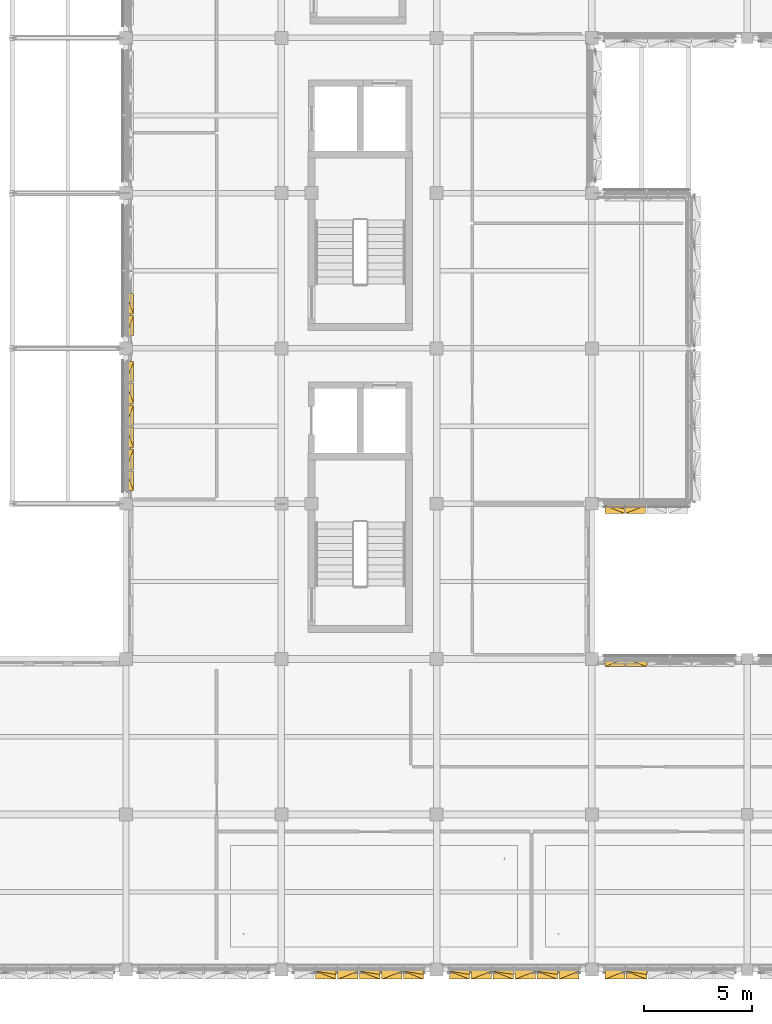
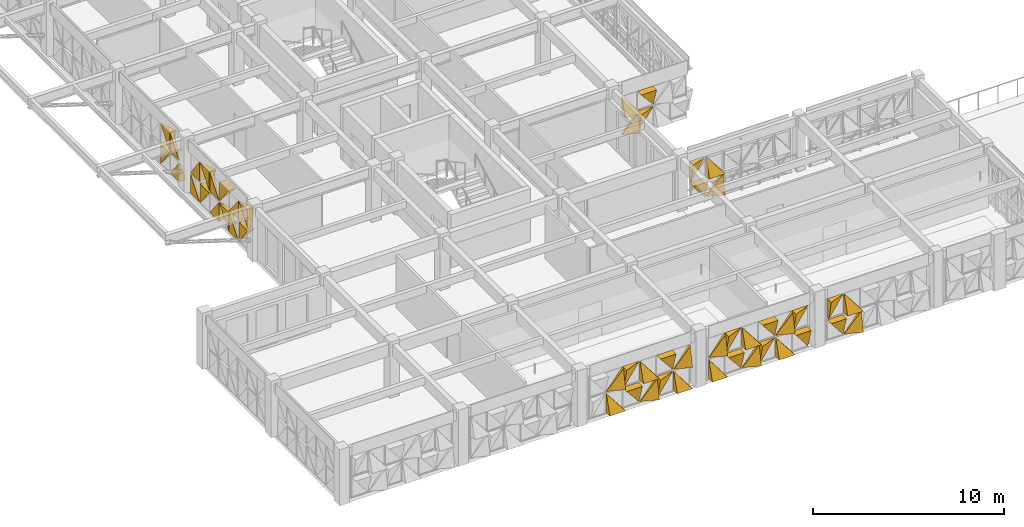
# One storey, part 87 of 99: 50 coverings.
"""IFC4 building model written with IfcOpenShell, lengths in metres."""

from ifc_helpers import new_model, si_unit, direction, frame, origin, place, context, subcontext, project, spatial, polygons, material, layer, layer_set, type_object, element, save


model = new_model("IFC4")

# Units and contexts
model_context = context("Model", 3, precision=1e-05, world=origin(), true_north=direction((0.0, 1.0)))
body_context = subcontext(model_context, "Body", "Model", "MODEL_VIEW")
ifc_project = project(units=[si_unit("LENGTHUNIT", "METRE"), si_unit("AREAUNIT", "SQUARE_METRE"), si_unit("VOLUMEUNIT", "CUBIC_METRE"), si_unit("PLANEANGLEUNIT", "RADIAN"), si_unit("MASSUNIT", "GRAM", prefix="KILO")], contexts=[model_context])

# Site, building, storey
site_placement = place(None, origin())
site = spatial("IfcSite", under=ifc_project, at=site_placement, CompositionType="ELEMENT")
building_placement = place(site_placement, origin())
building = spatial("IfcBuilding", under=site, at=building_placement, Name="Alvorim Cloister Faculty of Sciences", CompositionType="ELEMENT")
storey_placement = place(building_placement, frame((0.0, 0.0, 12.14990234375)))
storey = spatial("IfcBuildingStorey", under=building, at=storey_placement, Name="L03", CompositionType="ELEMENT", Elevation=12.14990234375)

# Coverings
ifc_material = material(Name="Perforated Bronze Alloy Sheet", Category="metal")
ifc_layer = layer(ifc_material, 0.0380859375)
ifc_layer_set = layer_set([ifc_layer], Name="Perforated Bronze Alloy Sheet")
covering_type = type_object("IfcCoveringType", Name="COV-TRI-BRZ", PredefinedType="CLADDING", material=ifc_layer_set)
covering_1_placement = place(storey_placement, frame((7.155029296875, 22.205078125, 0.14013671875), z_axis=(0.0, 0.0, 1.0), x_axis=(0.0, 1.0, 0.0)))
element("IfcCovering", 1, at=covering_1_placement, inside=storey, type_object=covering_type, Name="Diagonal Solid Metal Triangle TRI-TR", PredefinedType="CLADDING", context=body_context, shape_type="Tessellation", body=[
    polygons([(0.922607421875, 0.0260009765625, 0.002), (0.922607421875, 0.0260009765625, 1.21484375), (0.002, 0.0260009765625, 1.21484375), (0.922607421875, -0.03, 0.002), (0.922607421875, -0.4, 1.21484375), (0.002, -0.4, 1.21484375)], [[[1, 3, 2]], [[4, 5, 6]], [[1, 2, 5, 4]], [[2, 3, 6, 5]], [[3, 1, 4, 6]]], closed=True),
])
covering_2_placement = place(storey_placement, frame((7.155029296875, 22.205078125, 1.4951171875), z_axis=(0.0, 0.0, 1.0), x_axis=(0.0, 1.0, 0.0)))
element("IfcCovering", 2, at=covering_2_placement, inside=storey, type_object=covering_type, Name="Diagonal Solid Metal Triangle TRI-TL", PredefinedType="CLADDING", context=body_context, shape_type="Tessellation", body=[
    polygons([(0.920607421875, 0.0260009765625, 1.215087890625), (0.0, 0.0260009765625, 1.215087890625), (0.0, 0.0260009765625, 0.002), (0.920607421875, -0.03, 1.215087890625), (0.0, -0.4, 1.215087890625), (0.0, -0.13999999999999999, 0.002)], [[[1, 3, 2]], [[4, 5, 6]], [[1, 2, 5, 4]], [[2, 3, 6, 5]], [[3, 1, 4, 6]]], closed=True),
])
covering_3_placement = place(storey_placement, frame((7.155029296875, 23.1923828125, 0.14013671875), z_axis=(0.0, 0.0, 1.0), x_axis=(0.0, 1.0, 0.0)))
element("IfcCovering", 3, at=covering_3_placement, inside=storey, type_object=covering_type, Name="Diagonal Solid Metal Triangle TRI-BR", PredefinedType="CLADDING", context=body_context, shape_type="Tessellation", body=[
    polygons([(0.002, 0.0260009765625, 0.0), (0.955078125, 0.0260009765625, 0.0), (0.955078125, 0.0260009765625, 1.21284375), (0.002, -0.03, 0.0), (0.955078125, -0.4, 0.0), (0.955078125, -0.18000000000000002, 1.21284375)], [[[1, 3, 2]], [[4, 5, 6]], [[1, 2, 5, 4]], [[2, 3, 6, 5]], [[3, 1, 4, 6]]], closed=True),
])
covering_4_placement = place(storey_placement, frame((7.155029296875, 23.1923828125, 1.4951171875), z_axis=(0.0, 0.0, 1.0), x_axis=(0.0, 1.0, 0.0)))
element("IfcCovering", 4, at=covering_4_placement, inside=storey, type_object=covering_type, Name="Diagonal Solid Metal Triangle TRI-BL", PredefinedType="CLADDING", context=body_context, shape_type="Tessellation", body=[
    polygons([(0.0, 0.0260009765625, 0.0), (0.953078125, 0.0260009765625, 0.0), (0.0, 0.0260009765625, 1.213087890625), (0.0, -0.4, 0.0), (0.953078125, -0.4, 0.0), (0.0, -0.03, 1.213087890625)], [[[1, 3, 2]], [[4, 5, 6]], [[1, 2, 5, 4]], [[2, 3, 6, 5]], [[3, 1, 4, 6]]], closed=True),
])
covering_5_placement = place(storey_placement, frame((7.155029296875, 24.21240234375, 0.14013671875), z_axis=(0.0, 0.0, 1.0), x_axis=(0.0, 1.0, 0.0)))
element("IfcCovering", 5, at=covering_5_placement, inside=storey, type_object=covering_type, Name="Diagonal Solid Metal Triangle TRI-TL", PredefinedType="CLADDING", context=body_context, shape_type="Tessellation", body=[
    polygons([(0.953078125, 0.0260009765625, 1.21484375), (0.0, 0.0260009765625, 1.21484375), (0.0, 0.0260009765625, 0.002), (0.953078125, -0.03, 1.21484375), (0.0, -0.4, 1.21484375), (0.0, -0.13999999999999999, 0.002)], [[[1, 3, 2]], [[4, 5, 6]], [[1, 2, 5, 4]], [[2, 3, 6, 5]], [[3, 1, 4, 6]]], closed=True),
])
covering_6_placement = place(storey_placement, frame((7.155029296875, 24.21240234375, 1.4951171875), z_axis=(0.0, 0.0, 1.0), x_axis=(0.0, 1.0, 0.0)))
element("IfcCovering", 6, at=covering_6_placement, inside=storey, type_object=covering_type, Name="Diagonal Solid Metal Triangle TRI-TR", PredefinedType="CLADDING", context=body_context, shape_type="Tessellation", body=[
    polygons([(0.955078125, 0.0260009765625, 0.002), (0.955078125, 0.0260009765625, 1.215087890625), (0.002, 0.0260009765625, 1.215087890625), (0.955078125, -0.03, 0.002), (0.955078125, -0.4, 1.215087890625), (0.002, -0.4, 1.215087890625)], [[[1, 3, 2]], [[4, 5, 6]], [[1, 2, 5, 4]], [[2, 3, 6, 5]], [[3, 1, 4, 6]]], closed=True),
])
covering_7_placement = place(storey_placement, frame((7.155029296875, 25.232421875, 0.14013671875), z_axis=(0.0, 0.0, 1.0), x_axis=(0.0, 1.0, 0.0)))
element("IfcCovering", 7, at=covering_7_placement, inside=storey, type_object=covering_type, Name="Diagonal Solid Metal Triangle TRI-BL", PredefinedType="CLADDING", context=body_context, shape_type="Tessellation", body=[
    polygons([(0.0, 0.0260009765625, 0.0), (0.953078125, 0.0260009765625, 0.0), (0.0, 0.0260009765625, 1.21284375), (0.0, -0.4, 0.0), (0.953078125, -0.4, 0.0), (0.0, -0.03, 1.21284375)], [[[1, 3, 2]], [[4, 5, 6]], [[1, 2, 5, 4]], [[2, 3, 6, 5]], [[3, 1, 4, 6]]], closed=True),
])
covering_8_placement = place(storey_placement, frame((7.155029296875, 25.232421875, 1.4951171875), z_axis=(0.0, 0.0, 1.0), x_axis=(0.0, 1.0, 0.0)))
element("IfcCovering", 8, at=covering_8_placement, inside=storey, type_object=covering_type, Name="Diagonal Solid Metal Triangle TRI-BR", PredefinedType="CLADDING", context=body_context, shape_type="Tessellation", body=[
    polygons([(0.002, 0.0260009765625, 0.0), (0.955078125, 0.0260009765625, 0.0), (0.955078125, 0.0260009765625, 1.213087890625), (0.002, -0.03, 0.0), (0.955078125, -0.4, 0.0), (0.955078125, -0.18000000000000002, 1.213087890625)], [[[1, 3, 2]], [[4, 5, 6]], [[1, 2, 5, 4]], [[2, 3, 6, 5]], [[3, 1, 4, 6]]], closed=True),
])
covering_9_placement = place(storey_placement, frame((7.155029296875, 26.25244140625, 0.14013671875), z_axis=(0.0, 0.0, 1.0), x_axis=(0.0, 1.0, 0.0)))
element("IfcCovering", 9, at=covering_9_placement, inside=storey, type_object=covering_type, Name="Diagonal Solid Metal Triangle TRI-TR", PredefinedType="CLADDING", context=body_context, shape_type="Tessellation", body=[
    polygons([(0.955078125, 0.0260009765625, 0.002), (0.955078125, 0.0260009765625, 1.21484375), (0.002, 0.0260009765625, 1.21484375), (0.955078125, -0.03, 0.002), (0.955078125, -0.4, 1.21484375), (0.002, -0.4, 1.21484375)], [[[1, 3, 2]], [[4, 5, 6]], [[1, 2, 5, 4]], [[2, 3, 6, 5]], [[3, 1, 4, 6]]], closed=True),
])
covering_10_placement = place(storey_placement, frame((7.155029296875, 26.25244140625, 1.4951171875), z_axis=(0.0, 0.0, 1.0), x_axis=(0.0, 1.0, 0.0)))
element("IfcCovering", 10, at=covering_10_placement, inside=storey, type_object=covering_type, Name="Diagonal Solid Metal Triangle TRI-TL", PredefinedType="CLADDING", context=body_context, shape_type="Tessellation", body=[
    polygons([(0.953078125, 0.0260009765625, 1.215087890625), (0.0, 0.0260009765625, 1.215087890625), (0.0, 0.0260009765625, 0.002), (0.953078125, -0.03, 1.215087890625), (0.0, -0.4, 1.215087890625), (0.0, -0.13999999999999999, 0.002)], [[[1, 3, 2]], [[4, 5, 6]], [[1, 2, 5, 4]], [[2, 3, 6, 5]], [[3, 1, 4, 6]]], closed=True),
])
covering_11_placement = place(storey_placement, frame((7.155029296875, 27.2724609375, 0.14013671875), z_axis=(0.0, 0.0, 1.0), x_axis=(0.0, 1.0, 0.0)))
element("IfcCovering", 11, at=covering_11_placement, inside=storey, type_object=covering_type, Name="Diagonal Solid Metal Triangle TRI-BR", PredefinedType="CLADDING", context=body_context, shape_type="Tessellation", body=[
    polygons([(0.002, 0.0260009765625, 0.0), (0.922607421875, 0.0260009765625, 0.0), (0.922607421875, 0.0260009765625, 1.21284375), (0.002, -0.03, 0.0), (0.922607421875, -0.4, 0.0), (0.922607421875, -0.18000000000000002, 1.21284375)], [[[1, 3, 2]], [[4, 5, 6]], [[1, 2, 5, 4]], [[2, 3, 6, 5]], [[3, 1, 4, 6]]], closed=True),
])
covering_12_placement = place(storey_placement, frame((7.155029296875, 27.2724609375, 1.4951171875), z_axis=(0.0, 0.0, 1.0), x_axis=(0.0, 1.0, 0.0)))
element("IfcCovering", 12, at=covering_12_placement, inside=storey, type_object=covering_type, Name="Diagonal Solid Metal Triangle TRI-BL", PredefinedType="CLADDING", context=body_context, shape_type="Tessellation", body=[
    polygons([(0.0, 0.0260009765625, 0.0), (0.920607421875, 0.0260009765625, 0.0), (0.0, 0.0260009765625, 1.213087890625), (0.0, -0.4, 0.0), (0.920607421875, -0.4, 0.0), (0.0, -0.03, 1.213087890625)], [[[1, 3, 2]], [[4, 5, 6]], [[1, 2, 5, 4]], [[2, 3, 6, 5]], [[3, 1, 4, 6]]], closed=True),
])
covering_13_placement = place(storey_placement, frame((7.155029296875, 29.405029296875, 0.14013671875), z_axis=(0.0, 0.0, 1.0), x_axis=(0.0, 1.0, 0.0)))
element("IfcCovering", 13, at=covering_13_placement, inside=storey, type_object=covering_type, Name="Diagonal Solid Metal Triangle TRI-BL", PredefinedType="CLADDING", context=body_context, shape_type="Tessellation", body=[
    polygons([(0.0, 0.0260009765625, 0.0), (0.920607421875, 0.0260009765625, 0.0), (0.0, 0.0260009765625, 1.21284375), (0.0, -0.4, 0.0), (0.920607421875, -0.4, 0.0), (0.0, -0.03, 1.21284375)], [[[1, 3, 2]], [[4, 5, 6]], [[1, 2, 5, 4]], [[2, 3, 6, 5]], [[3, 1, 4, 6]]], closed=True),
])
covering_14_placement = place(storey_placement, frame((7.155029296875, 29.405029296875, 1.4951171875), z_axis=(0.0, 0.0, 1.0), x_axis=(0.0, 1.0, 0.0)))
element("IfcCovering", 14, at=covering_14_placement, inside=storey, type_object=covering_type, Name="Diagonal Solid Metal Triangle TRI-BR", PredefinedType="CLADDING", context=body_context, shape_type="Tessellation", body=[
    polygons([(0.002, 0.0260009765625, 0.0), (0.922607421875, 0.0260009765625, 0.0), (0.922607421875, 0.0260009765625, 1.213087890625), (0.002, -0.03, 0.0), (0.922607421875, -0.4, 0.0), (0.922607421875, -0.18000000000000002, 1.213087890625)], [[[1, 3, 2]], [[4, 5, 6]], [[1, 2, 5, 4]], [[2, 3, 6, 5]], [[3, 1, 4, 6]]], closed=True),
])
covering_15_placement = place(storey_placement, frame((7.155029296875, 30.392578125, 0.14013671875), z_axis=(0.0, 0.0, 1.0), x_axis=(0.0, 1.0, 0.0)))
element("IfcCovering", 15, at=covering_15_placement, inside=storey, type_object=covering_type, Name="Diagonal Solid Metal Triangle TRI-TR", PredefinedType="CLADDING", context=body_context, shape_type="Tessellation", body=[
    polygons([(0.955078125, 0.0260009765625, 0.002), (0.955078125, 0.0260009765625, 1.21484375), (0.002, 0.0260009765625, 1.21484375), (0.955078125, -0.03, 0.002), (0.955078125, -0.4, 1.21484375), (0.002, -0.4, 1.21484375)], [[[1, 3, 2]], [[4, 5, 6]], [[1, 2, 5, 4]], [[2, 3, 6, 5]], [[3, 1, 4, 6]]], closed=True),
])
covering_16_placement = place(storey_placement, frame((7.155029296875, 30.392578125, 1.4951171875), z_axis=(0.0, 0.0, 1.0), x_axis=(0.0, 1.0, 0.0)))
element("IfcCovering", 16, at=covering_16_placement, inside=storey, type_object=covering_type, Name="Diagonal Solid Metal Triangle TRI-TL", PredefinedType="CLADDING", context=body_context, shape_type="Tessellation", body=[
    polygons([(0.953078125, 0.0260009765625, 1.215087890625), (0.0, 0.0260009765625, 1.215087890625), (0.0, 0.0260009765625, 0.002), (0.953078125, -0.03, 1.215087890625), (0.0, -0.4, 1.215087890625), (0.0, -0.13999999999999999, 0.002)], [[[1, 3, 2]], [[4, 5, 6]], [[1, 2, 5, 4]], [[2, 3, 6, 5]], [[3, 1, 4, 6]]], closed=True),
])
covering_17_placement = place(storey_placement, frame((29.405029296875, 21.554931640625, 0.14013671875), z_axis=(0.0, 0.0, 1.0), x_axis=(1.0, 0.0, 0.0)))
element("IfcCovering", 17, at=covering_17_placement, inside=storey, type_object=covering_type, Name="Diagonal Solid Metal Triangle TRI-BR", PredefinedType="CLADDING", context=body_context, shape_type="Tessellation", body=[
    polygons([(0.002, 0.0260009765625, 0.0), (0.8974609375, 0.0260009765625, 0.0), (0.8974609375, 0.0260009765625, 1.14106640625), (0.002, -0.03, 0.0), (0.8974609375, -0.4, 0.0), (0.8974609375, -0.18000000000000002, 1.14106640625)], [[[1, 3, 2]], [[4, 5, 6]], [[1, 2, 5, 4]], [[2, 3, 6, 5]], [[3, 1, 4, 6]]], closed=True),
])
covering_18_placement = place(storey_placement, frame((29.405029296875, 21.554931640625, 1.423095703125), z_axis=(0.0, 0.0, 1.0), x_axis=(1.0, 0.0, 0.0)))
element("IfcCovering", 18, at=covering_18_placement, inside=storey, type_object=covering_type, Name="Diagonal Solid Metal Triangle TRI-BL", PredefinedType="CLADDING", context=body_context, shape_type="Tessellation", body=[
    polygons([(0.0, 0.0260009765625, 0.0), (0.8954609375, 0.0260009765625, 0.0), (0.0, 0.0260009765625, 1.14106640625), (0.0, -0.4, 0.0), (0.8954609375, -0.4, 0.0), (0.0, -0.03, 1.14106640625)], [[[1, 3, 2]], [[4, 5, 6]], [[1, 2, 5, 4]], [[2, 3, 6, 5]], [[3, 1, 4, 6]]], closed=True),
])
covering_19_placement = place(storey_placement, frame((30.367431640625, 21.554931640625, 0.14013671875), z_axis=(0.0, 0.0, 1.0), x_axis=(1.0, 0.0, 0.0)))
element("IfcCovering", 19, at=covering_19_placement, inside=storey, type_object=covering_type, Name="Diagonal Solid Metal Triangle TRI-TL", PredefinedType="CLADDING", context=body_context, shape_type="Tessellation", body=[
    polygons([(0.927931640625, 0.0260009765625, 1.14306640625), (0.0, 0.0260009765625, 1.14306640625), (0.0, 0.0260009765625, 0.002), (0.927931640625, -0.03, 1.14306640625), (0.0, -0.4, 1.14306640625), (0.0, -0.13999999999999999, 0.002)], [[[1, 3, 2]], [[4, 5, 6]], [[1, 2, 5, 4]], [[2, 3, 6, 5]], [[3, 1, 4, 6]]], closed=True),
])
covering_20_placement = place(storey_placement, frame((30.367431640625, 21.554931640625, 1.423095703125), z_axis=(0.0, 0.0, 1.0), x_axis=(1.0, 0.0, 0.0)))
element("IfcCovering", 20, at=covering_20_placement, inside=storey, type_object=covering_type, Name="Diagonal Solid Metal Triangle TRI-TR", PredefinedType="CLADDING", context=body_context, shape_type="Tessellation", body=[
    polygons([(0.929931640625, 0.0260009765625, 0.002), (0.929931640625, 0.0260009765625, 1.14306640625), (0.002, 0.0260009765625, 1.14306640625), (0.929931640625, -0.03, 0.002), (0.929931640625, -0.4, 1.14306640625), (0.002, -0.4, 1.14306640625)], [[[1, 3, 2]], [[4, 5, 6]], [[1, 2, 5, 4]], [[2, 3, 6, 5]], [[3, 1, 4, 6]]], closed=True),
])
covering_21_placement = place(storey_placement, frame((29.405029296875, 14.445068359375, 0.14013671875), z_axis=(0.0, 0.0, 1.0), x_axis=(1.0, 0.0, 0.0)))
element("IfcCovering", 21, at=covering_21_placement, inside=storey, type_object=covering_type, Name="Diagonal Solid Metal Triangle TRI-TR", PredefinedType="CLADDING", context=body_context, shape_type="Tessellation", body=[
    polygons([(0.922607421875, 0.0260009765625, 0.002), (0.922607421875, 0.0260009765625, 1.21484375), (0.002, 0.0260009765625, 1.21484375), (0.922607421875, -0.03, 0.002), (0.922607421875, -0.4, 1.21484375), (0.002, -0.4, 1.21484375)], [[[1, 3, 2]], [[4, 5, 6]], [[1, 2, 5, 4]], [[2, 3, 6, 5]], [[3, 1, 4, 6]]], closed=True),
])
covering_22_placement = place(storey_placement, frame((29.405029296875, 14.445068359375, 1.4951171875), z_axis=(0.0, 0.0, 1.0), x_axis=(1.0, 0.0, 0.0)))
element("IfcCovering", 22, at=covering_22_placement, inside=storey, type_object=covering_type, Name="Diagonal Solid Metal Triangle TRI-TL", PredefinedType="CLADDING", context=body_context, shape_type="Tessellation", body=[
    polygons([(0.920607421875, 0.0260009765625, 1.215087890625), (0.0, 0.0260009765625, 1.215087890625), (0.0, 0.0260009765625, 0.002), (0.920607421875, -0.03, 1.215087890625), (0.0, -0.4, 1.215087890625), (0.0, -0.13999999999999999, 0.002)], [[[1, 3, 2]], [[4, 5, 6]], [[1, 2, 5, 4]], [[2, 3, 6, 5]], [[3, 1, 4, 6]]], closed=True),
])
covering_23_placement = place(storey_placement, frame((30.392578125, 14.445068359375, 0.14013671875), z_axis=(0.0, 0.0, 1.0), x_axis=(1.0, 0.0, 0.0)))
element("IfcCovering", 23, at=covering_23_placement, inside=storey, type_object=covering_type, Name="Diagonal Solid Metal Triangle TRI-BR", PredefinedType="CLADDING", context=body_context, shape_type="Tessellation", body=[
    polygons([(0.002, 0.0260009765625, 0.0), (0.955078125, 0.0260009765625, 0.0), (0.955078125, 0.0260009765625, 1.21284375), (0.002, -0.03, 0.0), (0.955078125, -0.4, 0.0), (0.955078125, -0.18000000000000002, 1.21284375)], [[[1, 3, 2]], [[4, 5, 6]], [[1, 2, 5, 4]], [[2, 3, 6, 5]], [[3, 1, 4, 6]]], closed=True),
])
covering_24_placement = place(storey_placement, frame((30.392578125, 14.445068359375, 1.4951171875), z_axis=(0.0, 0.0, 1.0), x_axis=(1.0, 0.0, 0.0)))
element("IfcCovering", 24, at=covering_24_placement, inside=storey, type_object=covering_type, Name="Diagonal Solid Metal Triangle TRI-BL", PredefinedType="CLADDING", context=body_context, shape_type="Tessellation", body=[
    polygons([(0.0, 0.0260009765625, 0.0), (0.953078125, 0.0260009765625, 0.0), (0.0, 0.0260009765625, 1.213087890625), (0.0, -0.4, 0.0), (0.953078125, -0.4, 0.0), (0.0, -0.03, 1.213087890625)], [[[1, 3, 2]], [[4, 5, 6]], [[1, 2, 5, 4]], [[2, 3, 6, 5]], [[3, 1, 4, 6]]], closed=True),
])
covering_25_placement = place(storey_placement, frame((29.405029296875, -0.044921875, 0.14013671875), z_axis=(0.0, 0.0, 1.0), x_axis=(1.0, 0.0, 0.0)))
element("IfcCovering", 25, at=covering_25_placement, inside=storey, type_object=covering_type, Name="Diagonal Solid Metal Triangle TRI-TR", PredefinedType="CLADDING", context=body_context, shape_type="Tessellation", body=[
    polygons([(0.922607421875, 0.0260009765625, 0.002), (0.922607421875, 0.0260009765625, 1.21484375), (0.002, 0.0260009765625, 1.21484375), (0.922607421875, -0.03, 0.002), (0.922607421875, -0.4, 1.21484375), (0.002, -0.4, 1.21484375)], [[[1, 3, 2]], [[4, 5, 6]], [[1, 2, 5, 4]], [[2, 3, 6, 5]], [[3, 1, 4, 6]]], closed=True),
])
covering_26_placement = place(storey_placement, frame((29.405029296875, -0.044921875, 1.4951171875), z_axis=(0.0, 0.0, 1.0), x_axis=(1.0, 0.0, 0.0)))
element("IfcCovering", 26, at=covering_26_placement, inside=storey, type_object=covering_type, Name="Diagonal Solid Metal Triangle TRI-TL", PredefinedType="CLADDING", context=body_context, shape_type="Tessellation", body=[
    polygons([(0.920607421875, 0.0260009765625, 1.215087890625), (0.0, 0.0260009765625, 1.215087890625), (0.0, 0.0260009765625, 0.002), (0.920607421875, -0.03, 1.215087890625), (0.0, -0.4, 1.215087890625), (0.0, -0.13999999999999999, 0.002)], [[[1, 3, 2]], [[4, 5, 6]], [[1, 2, 5, 4]], [[2, 3, 6, 5]], [[3, 1, 4, 6]]], closed=True),
])
covering_27_placement = place(storey_placement, frame((30.392578125, -0.044921875, 0.14013671875), z_axis=(0.0, 0.0, 1.0), x_axis=(1.0, 0.0, 0.0)))
element("IfcCovering", 27, at=covering_27_placement, inside=storey, type_object=covering_type, Name="Diagonal Solid Metal Triangle TRI-BR", PredefinedType="CLADDING", context=body_context, shape_type="Tessellation", body=[
    polygons([(0.002, 0.0260009765625, 0.0), (0.955078125, 0.0260009765625, 0.0), (0.955078125, 0.0260009765625, 1.21284375), (0.002, -0.03, 0.0), (0.955078125, -0.4, 0.0), (0.955078125, -0.18000000000000002, 1.21284375)], [[[1, 3, 2]], [[4, 5, 6]], [[1, 2, 5, 4]], [[2, 3, 6, 5]], [[3, 1, 4, 6]]], closed=True),
])
covering_28_placement = place(storey_placement, frame((30.392578125, -0.044921875, 1.4951171875), z_axis=(0.0, 0.0, 1.0), x_axis=(1.0, 0.0, 0.0)))
element("IfcCovering", 28, at=covering_28_placement, inside=storey, type_object=covering_type, Name="Diagonal Solid Metal Triangle TRI-BL", PredefinedType="CLADDING", context=body_context, shape_type="Tessellation", body=[
    polygons([(0.0, 0.0260009765625, 0.0), (0.953078125, 0.0260009765625, 0.0), (0.0, 0.0260009765625, 1.213087890625), (0.0, -0.4, 0.0), (0.953078125, -0.4, 0.0), (0.0, -0.03, 1.213087890625)], [[[1, 3, 2]], [[4, 5, 6]], [[1, 2, 5, 4]], [[2, 3, 6, 5]], [[3, 1, 4, 6]]], closed=True),
])
covering_29_placement = place(storey_placement, frame((22.205078125, -0.044921875, 0.14013671875), z_axis=(0.0, 0.0, 1.0), x_axis=(1.0, 0.0, 0.0)))
element("IfcCovering", 29, at=covering_29_placement, inside=storey, type_object=covering_type, Name="Diagonal Solid Metal Triangle TRI-BL", PredefinedType="CLADDING", context=body_context, shape_type="Tessellation", body=[
    polygons([(0.0, 0.0260009765625, 0.0), (0.920607421875, 0.0260009765625, 0.0), (0.0, 0.0260009765625, 1.21284375), (0.0, -0.4, 0.0), (0.920607421875, -0.4, 0.0), (0.0, -0.03, 1.21284375)], [[[1, 3, 2]], [[4, 5, 6]], [[1, 2, 5, 4]], [[2, 3, 6, 5]], [[3, 1, 4, 6]]], closed=True),
])
covering_30_placement = place(storey_placement, frame((22.205078125, -0.044921875, 1.4951171875), z_axis=(0.0, 0.0, 1.0), x_axis=(1.0, 0.0, 0.0)))
element("IfcCovering", 30, at=covering_30_placement, inside=storey, type_object=covering_type, Name="Diagonal Solid Metal Triangle TRI-BR", PredefinedType="CLADDING", context=body_context, shape_type="Tessellation", body=[
    polygons([(0.002, 0.0260009765625, 0.0), (0.922607421875, 0.0260009765625, 0.0), (0.922607421875, 0.0260009765625, 1.213087890625), (0.002, -0.03, 0.0), (0.922607421875, -0.4, 0.0), (0.922607421875, -0.18000000000000002, 1.213087890625)], [[[1, 3, 2]], [[4, 5, 6]], [[1, 2, 5, 4]], [[2, 3, 6, 5]], [[3, 1, 4, 6]]], closed=True),
])
covering_31_placement = place(storey_placement, frame((23.1923828125, -0.044921875, 0.14013671875), z_axis=(0.0, 0.0, 1.0), x_axis=(1.0, 0.0, 0.0)))
element("IfcCovering", 31, at=covering_31_placement, inside=storey, type_object=covering_type, Name="Diagonal Solid Metal Triangle TRI-TR", PredefinedType="CLADDING", context=body_context, shape_type="Tessellation", body=[
    polygons([(0.955078125, 0.0260009765625, 0.002), (0.955078125, 0.0260009765625, 1.21484375), (0.002, 0.0260009765625, 1.21484375), (0.955078125, -0.03, 0.002), (0.955078125, -0.4, 1.21484375), (0.002, -0.4, 1.21484375)], [[[1, 3, 2]], [[4, 5, 6]], [[1, 2, 5, 4]], [[2, 3, 6, 5]], [[3, 1, 4, 6]]], closed=True),
])
covering_32_placement = place(storey_placement, frame((23.1923828125, -0.044921875, 1.4951171875), z_axis=(0.0, 0.0, 1.0), x_axis=(1.0, 0.0, 0.0)))
element("IfcCovering", 32, at=covering_32_placement, inside=storey, type_object=covering_type, Name="Diagonal Solid Metal Triangle TRI-TL", PredefinedType="CLADDING", context=body_context, shape_type="Tessellation", body=[
    polygons([(0.953078125, 0.0260009765625, 1.215087890625), (0.0, 0.0260009765625, 1.215087890625), (0.0, 0.0260009765625, 0.002), (0.953078125, -0.03, 1.215087890625), (0.0, -0.4, 1.215087890625), (0.0, -0.13999999999999999, 0.002)], [[[1, 3, 2]], [[4, 5, 6]], [[1, 2, 5, 4]], [[2, 3, 6, 5]], [[3, 1, 4, 6]]], closed=True),
])
covering_33_placement = place(storey_placement, frame((24.21240234375, -0.044921875, 0.14013671875), z_axis=(0.0, 0.0, 1.0), x_axis=(1.0, 0.0, 0.0)))
element("IfcCovering", 33, at=covering_33_placement, inside=storey, type_object=covering_type, Name="Diagonal Solid Metal Triangle TRI-BR", PredefinedType="CLADDING", context=body_context, shape_type="Tessellation", body=[
    polygons([(0.002, 0.0260009765625, 0.0), (0.955078125, 0.0260009765625, 0.0), (0.955078125, 0.0260009765625, 1.21284375), (0.002, -0.03, 0.0), (0.955078125, -0.4, 0.0), (0.955078125, -0.18000000000000002, 1.21284375)], [[[1, 3, 2]], [[4, 5, 6]], [[1, 2, 5, 4]], [[2, 3, 6, 5]], [[3, 1, 4, 6]]], closed=True),
])
covering_34_placement = place(storey_placement, frame((24.21240234375, -0.044921875, 1.4951171875), z_axis=(0.0, 0.0, 1.0), x_axis=(1.0, 0.0, 0.0)))
element("IfcCovering", 34, at=covering_34_placement, inside=storey, type_object=covering_type, Name="Diagonal Solid Metal Triangle TRI-BL", PredefinedType="CLADDING", context=body_context, shape_type="Tessellation", body=[
    polygons([(0.0, 0.0260009765625, 0.0), (0.953078125, 0.0260009765625, 0.0), (0.0, 0.0260009765625, 1.213087890625), (0.0, -0.4, 0.0), (0.953078125, -0.4, 0.0), (0.0, -0.03, 1.213087890625)], [[[1, 3, 2]], [[4, 5, 6]], [[1, 2, 5, 4]], [[2, 3, 6, 5]], [[3, 1, 4, 6]]], closed=True),
])
covering_35_placement = place(storey_placement, frame((25.232421875, -0.044921875, 0.14013671875), z_axis=(0.0, 0.0, 1.0), x_axis=(1.0, 0.0, 0.0)))
element("IfcCovering", 35, at=covering_35_placement, inside=storey, type_object=covering_type, Name="Diagonal Solid Metal Triangle TRI-TL", PredefinedType="CLADDING", context=body_context, shape_type="Tessellation", body=[
    polygons([(0.953078125, 0.0260009765625, 1.21484375), (0.0, 0.0260009765625, 1.21484375), (0.0, 0.0260009765625, 0.002), (0.953078125, -0.03, 1.21484375), (0.0, -0.4, 1.21484375), (0.0, -0.13999999999999999, 0.002)], [[[1, 3, 2]], [[4, 5, 6]], [[1, 2, 5, 4]], [[2, 3, 6, 5]], [[3, 1, 4, 6]]], closed=True),
])
covering_36_placement = place(storey_placement, frame((25.232421875, -0.044921875, 1.4951171875), z_axis=(0.0, 0.0, 1.0), x_axis=(1.0, 0.0, 0.0)))
element("IfcCovering", 36, at=covering_36_placement, inside=storey, type_object=covering_type, Name="Diagonal Solid Metal Triangle TRI-TR", PredefinedType="CLADDING", context=body_context, shape_type="Tessellation", body=[
    polygons([(0.955078125, 0.0260009765625, 0.002), (0.955078125, 0.0260009765625, 1.215087890625), (0.002, 0.0260009765625, 1.215087890625), (0.955078125, -0.03, 0.002), (0.955078125, -0.4, 1.215087890625), (0.002, -0.4, 1.215087890625)], [[[1, 3, 2]], [[4, 5, 6]], [[1, 2, 5, 4]], [[2, 3, 6, 5]], [[3, 1, 4, 6]]], closed=True),
])
covering_37_placement = place(storey_placement, frame((26.25244140625, -0.044921875, 0.14013671875), z_axis=(0.0, 0.0, 1.0), x_axis=(1.0, 0.0, 0.0)))
element("IfcCovering", 37, at=covering_37_placement, inside=storey, type_object=covering_type, Name="Diagonal Solid Metal Triangle TRI-BL", PredefinedType="CLADDING", context=body_context, shape_type="Tessellation", body=[
    polygons([(0.0, 0.0260009765625, 0.0), (0.953078125, 0.0260009765625, 0.0), (0.0, 0.0260009765625, 1.21284375), (0.0, -0.4, 0.0), (0.953078125, -0.4, 0.0), (0.0, -0.03, 1.21284375)], [[[1, 3, 2]], [[4, 5, 6]], [[1, 2, 5, 4]], [[2, 3, 6, 5]], [[3, 1, 4, 6]]], closed=True),
])
covering_38_placement = place(storey_placement, frame((26.25244140625, -0.044921875, 1.4951171875), z_axis=(0.0, 0.0, 1.0), x_axis=(1.0, 0.0, 0.0)))
element("IfcCovering", 38, at=covering_38_placement, inside=storey, type_object=covering_type, Name="Diagonal Solid Metal Triangle TRI-BR", PredefinedType="CLADDING", context=body_context, shape_type="Tessellation", body=[
    polygons([(0.002, 0.0260009765625, 0.0), (0.955078125, 0.0260009765625, 0.0), (0.955078125, 0.0260009765625, 1.213087890625), (0.002, -0.03, 0.0), (0.955078125, -0.4, 0.0), (0.955078125, -0.18000000000000002, 1.213087890625)], [[[1, 3, 2]], [[4, 5, 6]], [[1, 2, 5, 4]], [[2, 3, 6, 5]], [[3, 1, 4, 6]]], closed=True),
])
covering_39_placement = place(storey_placement, frame((27.2724609375, -0.044921875, 0.14013671875), z_axis=(0.0, 0.0, 1.0), x_axis=(1.0, 0.0, 0.0)))
element("IfcCovering", 39, at=covering_39_placement, inside=storey, type_object=covering_type, Name="Diagonal Solid Metal Triangle TRI-TR", PredefinedType="CLADDING", context=body_context, shape_type="Tessellation", body=[
    polygons([(0.922607421875, 0.0260009765625, 0.002), (0.922607421875, 0.0260009765625, 1.21484375), (0.002, 0.0260009765625, 1.21484375), (0.922607421875, -0.03, 0.002), (0.922607421875, -0.4, 1.21484375), (0.002, -0.4, 1.21484375)], [[[1, 3, 2]], [[4, 5, 6]], [[1, 2, 5, 4]], [[2, 3, 6, 5]], [[3, 1, 4, 6]]], closed=True),
])
covering_40_placement = place(storey_placement, frame((27.2724609375, -0.044921875, 1.4951171875), z_axis=(0.0, 0.0, 1.0), x_axis=(1.0, 0.0, 0.0)))
element("IfcCovering", 40, at=covering_40_placement, inside=storey, type_object=covering_type, Name="Diagonal Solid Metal Triangle TRI-TL", PredefinedType="CLADDING", context=body_context, shape_type="Tessellation", body=[
    polygons([(0.920607421875, 0.0260009765625, 1.215087890625), (0.0, 0.0260009765625, 1.215087890625), (0.0, 0.0260009765625, 0.002), (0.920607421875, -0.03, 1.215087890625), (0.0, -0.4, 1.215087890625), (0.0, -0.13999999999999999, 0.002)], [[[1, 3, 2]], [[4, 5, 6]], [[1, 2, 5, 4]], [[2, 3, 6, 5]], [[3, 1, 4, 6]]], closed=True),
])
covering_41_placement = place(storey_placement, frame((15.992431640625, -0.044921875, 0.14013671875), z_axis=(0.0, 0.0, 1.0), x_axis=(1.0, 0.0, 0.0)))
element("IfcCovering", 41, at=covering_41_placement, inside=storey, type_object=covering_type, Name="Diagonal Solid Metal Triangle TRI-BL", PredefinedType="CLADDING", context=body_context, shape_type="Tessellation", body=[
    polygons([(0.0, 0.0260009765625, 0.0), (0.953078125, 0.0260009765625, 0.0), (0.0, 0.0260009765625, 1.21284375), (0.0, -0.4, 0.0), (0.953078125, -0.4, 0.0), (0.0, -0.03, 1.21284375)], [[[1, 3, 2]], [[4, 5, 6]], [[1, 2, 5, 4]], [[2, 3, 6, 5]], [[3, 1, 4, 6]]], closed=True),
])
covering_42_placement = place(storey_placement, frame((15.992431640625, -0.044921875, 1.4951171875), z_axis=(0.0, 0.0, 1.0), x_axis=(1.0, 0.0, 0.0)))
element("IfcCovering", 42, at=covering_42_placement, inside=storey, type_object=covering_type, Name="Diagonal Solid Metal Triangle TRI-BR", PredefinedType="CLADDING", context=body_context, shape_type="Tessellation", body=[
    polygons([(0.002, 0.0260009765625, 0.0), (0.955078125, 0.0260009765625, 0.0), (0.955078125, 0.0260009765625, 1.213087890625), (0.002, -0.03, 0.0), (0.955078125, -0.4, 0.0), (0.955078125, -0.18000000000000002, 1.213087890625)], [[[1, 3, 2]], [[4, 5, 6]], [[1, 2, 5, 4]], [[2, 3, 6, 5]], [[3, 1, 4, 6]]], closed=True),
])
covering_43_placement = place(storey_placement, frame((17.012451171875, -0.044921875, 0.14013671875), z_axis=(0.0, 0.0, 1.0), x_axis=(1.0, 0.0, 0.0)))
element("IfcCovering", 43, at=covering_43_placement, inside=storey, type_object=covering_type, Name="Diagonal Solid Metal Triangle TRI-TR", PredefinedType="CLADDING", context=body_context, shape_type="Tessellation", body=[
    polygons([(0.955078125, 0.0260009765625, 0.002), (0.955078125, 0.0260009765625, 1.21484375), (0.002, 0.0260009765625, 1.21484375), (0.955078125, -0.03, 0.002), (0.955078125, -0.4, 1.21484375), (0.002, -0.4, 1.21484375)], [[[1, 3, 2]], [[4, 5, 6]], [[1, 2, 5, 4]], [[2, 3, 6, 5]], [[3, 1, 4, 6]]], closed=True),
])
covering_44_placement = place(storey_placement, frame((17.012451171875, -0.044921875, 1.4951171875), z_axis=(0.0, 0.0, 1.0), x_axis=(1.0, 0.0, 0.0)))
element("IfcCovering", 44, at=covering_44_placement, inside=storey, type_object=covering_type, Name="Diagonal Solid Metal Triangle TRI-TL", PredefinedType="CLADDING", context=body_context, shape_type="Tessellation", body=[
    polygons([(0.953078125, 0.0260009765625, 1.215087890625), (0.0, 0.0260009765625, 1.215087890625), (0.0, 0.0260009765625, 0.002), (0.953078125, -0.03, 1.215087890625), (0.0, -0.4, 1.215087890625), (0.0, -0.13999999999999999, 0.002)], [[[1, 3, 2]], [[4, 5, 6]], [[1, 2, 5, 4]], [[2, 3, 6, 5]], [[3, 1, 4, 6]]], closed=True),
])
covering_45_placement = place(storey_placement, frame((18.032470703125, -0.044921875, 0.14013671875), z_axis=(0.0, 0.0, 1.0), x_axis=(1.0, 0.0, 0.0)))
element("IfcCovering", 45, at=covering_45_placement, inside=storey, type_object=covering_type, Name="Diagonal Solid Metal Triangle TRI-BR", PredefinedType="CLADDING", context=body_context, shape_type="Tessellation", body=[
    polygons([(0.002, 0.0260009765625, 0.0), (0.955078125, 0.0260009765625, 0.0), (0.955078125, 0.0260009765625, 1.21284375), (0.002, -0.03, 0.0), (0.955078125, -0.4, 0.0), (0.955078125, -0.18000000000000002, 1.21284375)], [[[1, 3, 2]], [[4, 5, 6]], [[1, 2, 5, 4]], [[2, 3, 6, 5]], [[3, 1, 4, 6]]], closed=True),
])
covering_46_placement = place(storey_placement, frame((18.032470703125, -0.044921875, 1.4951171875), z_axis=(0.0, 0.0, 1.0), x_axis=(1.0, 0.0, 0.0)))
element("IfcCovering", 46, at=covering_46_placement, inside=storey, type_object=covering_type, Name="Diagonal Solid Metal Triangle TRI-BL", PredefinedType="CLADDING", context=body_context, shape_type="Tessellation", body=[
    polygons([(0.0, 0.0260009765625, 0.0), (0.953078125, 0.0260009765625, 0.0), (0.0, 0.0260009765625, 1.213087890625), (0.0, -0.4, 0.0), (0.953078125, -0.4, 0.0), (0.0, -0.03, 1.213087890625)], [[[1, 3, 2]], [[4, 5, 6]], [[1, 2, 5, 4]], [[2, 3, 6, 5]], [[3, 1, 4, 6]]], closed=True),
])
covering_47_placement = place(storey_placement, frame((19.052490234375, -0.044921875, 0.14013671875), z_axis=(0.0, 0.0, 1.0), x_axis=(1.0, 0.0, 0.0)))
element("IfcCovering", 47, at=covering_47_placement, inside=storey, type_object=covering_type, Name="Diagonal Solid Metal Triangle TRI-TL", PredefinedType="CLADDING", context=body_context, shape_type="Tessellation", body=[
    polygons([(0.953078125, 0.0260009765625, 1.21484375), (0.0, 0.0260009765625, 1.21484375), (0.0, 0.0260009765625, 0.002), (0.953078125, -0.03, 1.21484375), (0.0, -0.4, 1.21484375), (0.0, -0.13999999999999999, 0.002)], [[[1, 3, 2]], [[4, 5, 6]], [[1, 2, 5, 4]], [[2, 3, 6, 5]], [[3, 1, 4, 6]]], closed=True),
])
covering_48_placement = place(storey_placement, frame((19.052490234375, -0.044921875, 1.4951171875), z_axis=(0.0, 0.0, 1.0), x_axis=(1.0, 0.0, 0.0)))
element("IfcCovering", 48, at=covering_48_placement, inside=storey, type_object=covering_type, Name="Diagonal Solid Metal Triangle TRI-TR", PredefinedType="CLADDING", context=body_context, shape_type="Tessellation", body=[
    polygons([(0.955078125, 0.0260009765625, 0.002), (0.955078125, 0.0260009765625, 1.215087890625), (0.002, 0.0260009765625, 1.215087890625), (0.955078125, -0.03, 0.002), (0.955078125, -0.4, 1.215087890625), (0.002, -0.4, 1.215087890625)], [[[1, 3, 2]], [[4, 5, 6]], [[1, 2, 5, 4]], [[2, 3, 6, 5]], [[3, 1, 4, 6]]], closed=True),
])
covering_49_placement = place(storey_placement, frame((20.072509765625, -0.044921875, 0.14013671875), z_axis=(0.0, 0.0, 1.0), x_axis=(1.0, 0.0, 0.0)))
element("IfcCovering", 49, at=covering_49_placement, inside=storey, type_object=covering_type, Name="Diagonal Solid Metal Triangle TRI-BL", PredefinedType="CLADDING", context=body_context, shape_type="Tessellation", body=[
    polygons([(0.0, 0.0260009765625, 0.0), (0.920607421875, 0.0260009765625, 0.0), (0.0, 0.0260009765625, 1.21284375), (0.0, -0.4, 0.0), (0.920607421875, -0.4, 0.0), (0.0, -0.03, 1.21284375)], [[[1, 3, 2]], [[4, 5, 6]], [[1, 2, 5, 4]], [[2, 3, 6, 5]], [[3, 1, 4, 6]]], closed=True),
])
covering_50_placement = place(storey_placement, frame((20.072509765625, -0.044921875, 1.4951171875), z_axis=(0.0, 0.0, 1.0), x_axis=(1.0, 0.0, 0.0)))
element("IfcCovering", 50, at=covering_50_placement, inside=storey, type_object=covering_type, Name="Diagonal Solid Metal Triangle TRI-BR", PredefinedType="CLADDING", context=body_context, shape_type="Tessellation", body=[
    polygons([(0.002, 0.0260009765625, 0.0), (0.922607421875, 0.0260009765625, 0.0), (0.922607421875, 0.0260009765625, 1.213087890625), (0.002, -0.03, 0.0), (0.922607421875, -0.4, 0.0), (0.922607421875, -0.18000000000000002, 1.213087890625)], [[[1, 3, 2]], [[4, 5, 6]], [[1, 2, 5, 4]], [[2, 3, 6, 5]], [[3, 1, 4, 6]]], closed=True),
])

save(model, "model.ifc")
